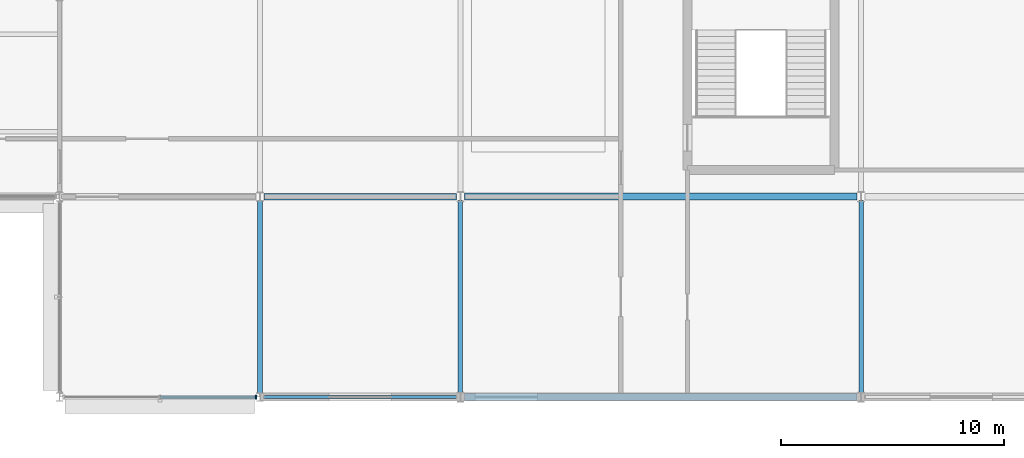
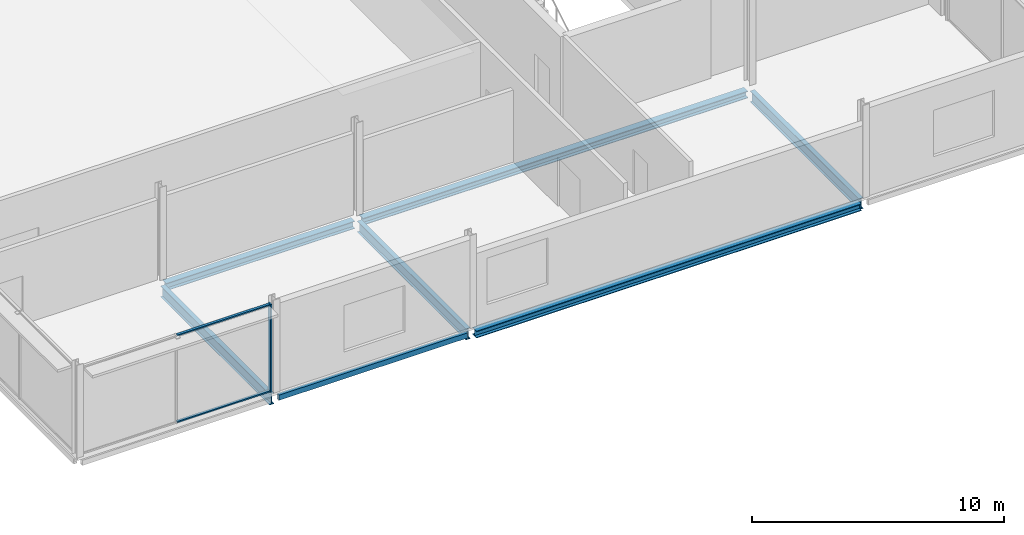
# One storey, part 27 of 73: 7 beams, 3 members, 1 element without a shape of its own.
"""IFC4 building model written with IfcOpenShell, lengths in metres."""

from ifc_helpers import new_model, si_unit, direction, frame, origin, origin_2d, place, context, subcontext, project, spatial, rectangle, hollow_rectangle, i_section, extrude, material, layer, layer_set, material_profile, profile_set, type_object, element, aggregate, save


model = new_model("IFC4")

# Units and contexts
model_context = context("Model", 3, precision=1e-05, world=origin(), true_north=direction((0.0, 1.0)))
body_context = subcontext(model_context, "Body", "Model", "MODEL_VIEW")
ifc_project = project(units=[si_unit("LENGTHUNIT", "METRE"), si_unit("AREAUNIT", "SQUARE_METRE"), si_unit("VOLUMEUNIT", "CUBIC_METRE"), si_unit("PLANEANGLEUNIT", "RADIAN"), si_unit("MASSUNIT", "GRAM", prefix="KILO")], contexts=[model_context])

# Site, building, storey
site_placement = place(None, origin())
site = spatial("IfcSite", under=ifc_project, at=site_placement, CompositionType="ELEMENT")
building_placement = place(site_placement, origin())
building = spatial("IfcBuilding", under=site, at=building_placement, Name="Kisiwana Market Hall", CompositionType="ELEMENT")
storey_placement = place(building_placement, frame((0.0, 0.0, 33.300048828125)))
storey = spatial("IfcBuildingStorey", under=building, at=storey_placement, Name="L07", CompositionType="ELEMENT", Elevation=33.300048828125)

# Beams
ifc_material_1 = material(Name="Steel S355", Category="steel")
ifc_material_profile_1 = material_profile(ifc_material_1, i_section(OverallWidth=0.300048828125, OverallDepth=0.360107421875, WebThickness=0.012451171875, FlangeThickness=0.0224609375, at=origin_2d()), Name="HEB 360")
ifc_profile_set_1 = profile_set([ifc_material_profile_1], Name="Steel S355")
beam_type_1 = type_object("IfcBeamType", Name="BM-GIRD-HEB360", PredefinedType="BEAM", material=ifc_profile_set_1)
beam_1_placement = place(storey_placement, frame((162.18115234375, 18.0, -0.4599609375), z_axis=(1.0, 0.0, 0.0), x_axis=(0.0, 1.0, 0.0)))
element("IfcBeam", 1, at=beam_1_placement, inside=storey, type_object=beam_type_1, Name="Floor beam B-1974", PredefinedType="BEAM", context=body_context, shape_type="SweptSolid", body=[
    extrude(i_section(OverallWidth=0.300048828125, OverallDepth=0.360107421875, WebThickness=0.012451171875, FlangeThickness=0.0224609375, at=origin_2d()), origin(), (0.0, 0.0, 1.0), 8.635498046875),
])
ifc_material_2 = material(Name="Steel S355", Category="steel")
ifc_material_profile_2 = material_profile(ifc_material_2, i_section(OverallWidth=0.209228515625, OverallDepth=0.533203125, WebThickness=0.010009765625, FlangeThickness=0.015625, at=origin_2d()), Name="UB 533x210x92")
ifc_profile_set_2 = profile_set([ifc_material_profile_2], Name="Steel S355")
beam_type_2 = type_object("IfcBeamType", Name="BM-GIRD-UB533", PredefinedType="BEAM", material=ifc_profile_set_2)
beam_2_placement = place(storey_placement, frame((162.0, 9.177001953125, -0.546630859375), z_axis=(0.0, 1.0, 0.0), x_axis=(-1.0, 0.0, 0.0)))
element("IfcBeam", 2, at=beam_2_placement, inside=storey, type_object=beam_type_2, Name="Primary girder B-1911", PredefinedType="BEAM", context=body_context, shape_type="SweptSolid", body=[
    extrude(i_section(OverallWidth=0.209228515625, OverallDepth=0.533203125, WebThickness=0.010009765625, FlangeThickness=0.015625, at=origin_2d()), origin(), (0.0, 0.0, 1.0), 8.64599609375),
])
for number, where, z_axis, x_axis, name in (
    (3, (171.0, 9.183349609375, -0.546630859375), (0.0, 1.0, 0.0), (-1.0, 0.0, 0.0), "Primary girder B-1917"),
    (4, (189.0, 9.183349609375, -0.546630859375), (0.0, 1.0, 0.0), (-1.0, 0.0, 0.0), "Primary girder B-1921"),
):
    element("IfcBeam", number, at=place(storey_placement, frame(where, z_axis=z_axis, x_axis=x_axis)), inside=storey, type_object=beam_type_2, Name=name, PredefinedType="BEAM", context=body_context, shape_type="SweptSolid", body=[
        extrude(i_section(OverallWidth=0.209228515625, OverallDepth=0.533203125, WebThickness=0.010009765625, FlangeThickness=0.015625, at=origin_2d()), origin(), (0.0, 0.0, 1.0), 8.63330078125),
    ])
ifc_material_3 = material(Name="Steel S355", Category="steel")
ifc_material_profile_3 = material_profile(ifc_material_3, i_section(OverallWidth=0.314453125, OverallDepth=0.33984375, WebThickness=0.01904296875, FlangeThickness=0.031494140625, at=origin_2d()), Name="UC 305x305x198")
ifc_profile_set_3 = profile_set([ifc_material_profile_3], Name="Steel S355")
beam_type_3 = type_object("IfcBeamType", Name="BM-SKYBR-CHORD", PredefinedType="BEAM", material=ifc_profile_set_3)
for number, where, z_axis, x_axis, name in (
    (5, (171.183349609375, 9.0, -0.449951171875), (1.0, 0.0, 0.0), (0.0, 1.0, 0.0), "Floor beam B-1961"),
    (6, (171.183349609375, 18.0, -0.449951171875), (1.0, 0.0, 0.0), (0.0, 1.0, 0.0), "Floor beam B-1975"),
):
    element("IfcBeam", number, at=place(storey_placement, frame(where, z_axis=z_axis, x_axis=x_axis)), inside=storey, type_object=beam_type_3, Name=name, PredefinedType="BEAM", context=body_context, shape_type="SweptSolid", body=[
        extrude(i_section(OverallWidth=0.314453125, OverallDepth=0.33984375, WebThickness=0.01904296875, FlangeThickness=0.031494140625, at=origin_2d()), origin(), (0.0, 0.0, 1.0), 17.63330078125),
    ])
ifc_material_4 = material(Name="Steel S355", Category="steel")
ifc_material_profile_4 = material_profile(ifc_material_4, hollow_rectangle(XDim=0.14990234375, YDim=0.25, WallThickness=0.010009765625, at=origin_2d()), Name="RHS 250x150x10.0")
ifc_profile_set_4 = profile_set([ifc_material_profile_4], Name="Steel S355")
beam_type_4 = type_object("IfcBeamType", Name="BM-SPAN-RHS250", PredefinedType="SPANDREL", material=ifc_profile_set_4)
beam_3_placement = place(storey_placement, frame((162.18115234375, 9.0, -0.405029296875), z_axis=(1.0, 0.0, 0.0), x_axis=(0.0, 1.0, 0.0)))
element("IfcBeam", 7, at=beam_3_placement, inside=storey, type_object=beam_type_4, Name="Floor beam B-1960", PredefinedType="SPANDREL", context=body_context, shape_type="SweptSolid", body=[
    extrude(hollow_rectangle(XDim=0.14990234375, YDim=0.25, WallThickness=0.010009765625, at=origin_2d()), origin(), (0.0, 0.0, 1.0), 8.635498046875),
])

# Curtain wall, members
ifc_material_5 = material(Name="Double-glazed solar-control low-E IGU", Category="glass")
ifc_layer = layer(ifc_material_5, 0.159912109375)
ifc_layer_set = layer_set([ifc_layer], Name="CW-BRG-L07-8200")
curtain_wall_type = type_object("IfcCurtainWallType", Name="CW-BRG-L07-8200", PredefinedType="USERDEFINED", material=ifc_layer_set)
curtain_wall_placement = place(storey_placement, origin())
curtain_wall = element("IfcCurtainWall", 8, at=curtain_wall_placement, inside=storey, type_object=curtain_wall_type, Name="Unitised curtain wall CW-211 (L07)", ObjectType="UNITISED CURTAIN WALL", PredefinedType="USERDEFINED")
ifc_material_6 = material(Name="Aluminium alloy 6063-T6", Category="aluminium")
ifc_material_profile_5 = material_profile(ifc_material_6, rectangle(XDim=0.070068359375, YDim=0.179931640625, at=origin_2d()), Name="ALU MULLION 70x180")
ifc_profile_set_5 = profile_set([ifc_material_profile_5], Name="Aluminium alloy 6063-T6")
member_type_1 = type_object("IfcMemberType", Name="CW-MULL-70x180", PredefinedType="MULLION", material=ifc_profile_set_5)
member_1_placement = place(storey_placement, frame((161.81494140625, 9.0, 0.0), z_axis=(0.0, 0.0, 1.0), x_axis=(1.0, 0.0, 0.0)))
member_1 = element("IfcMember", 9, at=member_1_placement, type_object=member_type_1, Name="CW-211 mullion 3", PredefinedType="MULLION", context=body_context, shape_type="SweptSolid", body=[
    extrude(rectangle(XDim=0.070068359375, YDim=0.179931640625, at=origin_2d()), origin(), (0.0, 0.0, 1.0), 4.2548828125),
])
ifc_material_7 = material(Name="Aluminium alloy 6063-T6", Category="aluminium")
ifc_material_profile_6 = material_profile(ifc_material_7, rectangle(XDim=0.1201171875, YDim=0.06005859375, at=origin_2d()), Name="ALU TRANSOM 60x120")
ifc_profile_set_6 = profile_set([ifc_material_profile_6], Name="Aluminium alloy 6063-T6")
member_type_2 = type_object("IfcMemberType", Name="CW-TRAN-60x120", PredefinedType="USERDEFINED", material=ifc_profile_set_6)
member_2_placement = place(storey_placement, frame((157.534912109375, 9.0, 0.030029296875), z_axis=(1.0, 0.0, 0.0), x_axis=(0.0, 1.0, 0.0)))
member_2 = element("IfcMember", 10, at=member_2_placement, type_object=member_type_2, Name="CW-211 transom 2.1", ObjectType="TRANSOM", PredefinedType="USERDEFINED", context=body_context, shape_type="SweptSolid", body=[
    extrude(rectangle(XDim=0.1201171875, YDim=0.06005859375, at=origin_2d()), origin(), (0.0, 0.0, 1.0), 4.2451171875),
])
member_3_placement = place(storey_placement, frame((157.534912109375, 9.0, 4.224853515625), z_axis=(1.0, 0.0, 0.0), x_axis=(0.0, 1.0, 0.0)))
member_3 = element("IfcMember", 11, at=member_3_placement, type_object=member_type_2, Name="CW-211 transom 2.2", ObjectType="TRANSOM", PredefinedType="USERDEFINED", context=body_context, shape_type="SweptSolid", body=[
    extrude(rectangle(XDim=0.1201171875, YDim=0.06005859375, at=origin_2d()), origin(), (0.0, 0.0, 1.0), 4.2451171875),
])
aggregate(curtain_wall, [member_1, member_2, member_3])

save(model, "model.ifc")
